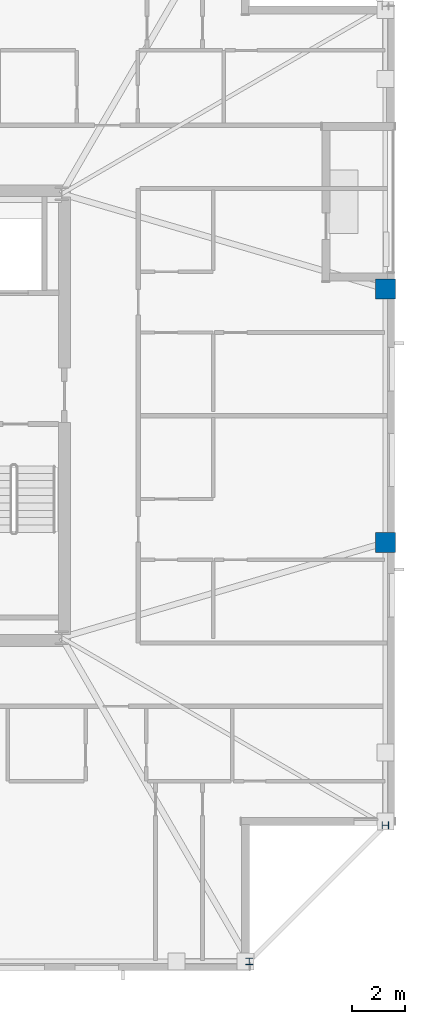
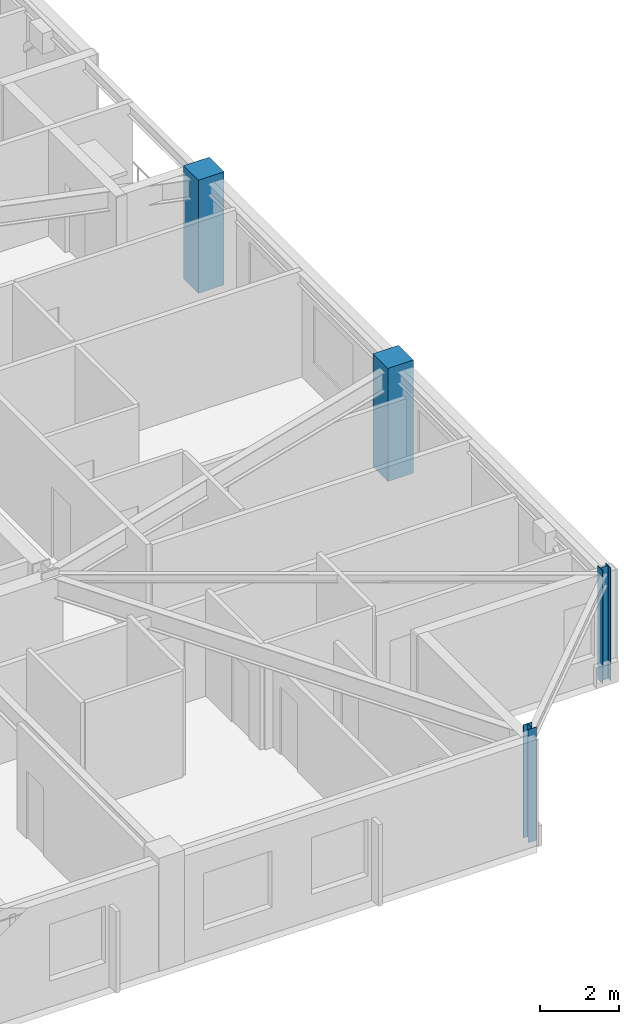
# One storey, part 3 of 16: 4 columns.
"""IFC4 building model written with IfcOpenShell, lengths in metres."""

import ifcopenshell
import ifcopenshell.guid

model = None  # the IFC model being written
_history = None  # IfcOwnerHistory: only IFC2X3 demands one
_inside = {}  # id of a spatial element -> (the spatial element, [elements in it])
_under = {}  # id of a project, library or spatial element -> (it, [spatial elements below it])
_declared = {}  # id of a project -> (the project, [libraries it declares])
_typed = {}  # id of a type object -> (the type object, [elements of that type])
_made_of = {}  # id of a material, layer set ... -> (it, [elements and type objects made of it])


def new_model(schema):
    """Start an empty IFC model of exactly this schema.

    Asked for "IFC4X3", IfcOpenShell would pick the latest addendum, in which some entities
    have other attributes; the version numbers below select the first issue.
    IFC2X3 requires an IfcOwnerHistory on every rooted entity: one is made here for all.
    """
    global model, _history
    if schema == "IFC4X3":
        model = ifcopenshell.file(schema_version=(4, 3, 0, 0))
    else:
        model = ifcopenshell.file(schema=schema)
    _inside.clear()
    _under.clear()
    _declared.clear()
    _typed.clear()
    _made_of.clear()
    _history = None
    if model.schema == "IFC2X3":
        org = make("IfcOrganization", Name="unknown")
        user = make(
            "IfcPersonAndOrganization",
            ThePerson=make("IfcPerson", FamilyName="unknown"),
            TheOrganization=org,
        )
        app = make(
            "IfcApplication",
            ApplicationDeveloper=org,
            Version="unknown",
            ApplicationFullName="unknown",
            ApplicationIdentifier="unknown",
        )
        _history = make(
            "IfcOwnerHistory",
            OwningUser=user,
            OwningApplication=app,
            ChangeAction="ADDED",
            CreationDate=0,
        )
    return model


def make(cls, **values):
    """One entity of the class cls with the attributes given. An attribute that is None is left unset."""
    return model.create_entity(
        cls, **{name: value for name, value in values.items() if value is not None}
    )


def rooted(cls, **values):
    """An entity with a GlobalId (a new one), such as an element, a storey or a relation."""
    return make(cls, GlobalId=ifcopenshell.guid.new(), OwnerHistory=_history, **values)


def si_unit(unit_type, name, prefix=None):
    """IfcSIUnit, for example si_unit("LENGTHUNIT", "METRE", prefix="MILLI")."""
    return make("IfcSIUnit", UnitType=unit_type, Prefix=prefix, Name=name)


def assignment(units):
    """IfcUnitAssignment: the units of a project."""
    return None if units is None else make("IfcUnitAssignment", Units=units)


def point(xyz):
    """IfcCartesianPoint."""
    return None if xyz is None else make("IfcCartesianPoint", Coordinates=xyz)


def direction(xyz):
    """IfcDirection."""
    return None if xyz is None else make("IfcDirection", DirectionRatios=xyz)


def frame(location, z_axis=None, x_axis=None):
    """IfcAxis2Placement3D, a coordinate frame: its origin and axes. An axis left out is left unset."""
    return make(
        "IfcAxis2Placement3D",
        Location=point(location),
        Axis=direction(z_axis),
        RefDirection=direction(x_axis),
    )


def frame_2d(location, x_axis=None):
    """IfcAxis2Placement2D, a coordinate frame in the plane: its origin and x axis."""
    return make(
        "IfcAxis2Placement2D", Location=point(location), RefDirection=direction(x_axis)
    )


def origin():
    """The frame at (0, 0, 0) with its axes left unset."""
    return frame((0.0, 0.0, 0.0))


def origin_2d():
    """The frame at (0, 0) in the plane with its x axis left unset."""
    return frame_2d((0.0, 0.0))


def place(relative_to, where):
    """IfcLocalPlacement: puts the frame where relative to a parent placement (None: the world)."""
    return make(
        "IfcLocalPlacement", PlacementRelTo=relative_to, RelativePlacement=where
    )


def context(
    kind, dimensions, precision=None, world=None, true_north=None, identifier=None
):
    """IfcGeometricRepresentationContext, for example the 3D "Model" context."""
    return make(
        "IfcGeometricRepresentationContext",
        ContextIdentifier=identifier,
        ContextType=kind,
        CoordinateSpaceDimension=dimensions,
        Precision=precision,
        WorldCoordinateSystem=world,
        TrueNorth=true_north,
    )


def subcontext(parent, identifier, kind, view, scale=None):
    """IfcGeometricRepresentationSubContext, for example "Body" below "Model"."""
    return make(
        "IfcGeometricRepresentationSubContext",
        ContextIdentifier=identifier,
        ContextType=kind,
        ParentContext=parent,
        TargetScale=scale,
        TargetView=view,
    )


def project(units=None, contexts=None):
    """IfcProject with its units and contexts."""
    return rooted(
        "IfcProject",
        Name="project",
        RepresentationContexts=contexts,
        UnitsInContext=assignment(units),
    )


def spatial(cls, under=None, at=None, **own):
    """A site, building, storey or space (cls), placed at a placement, below another one or the project."""
    s = rooted(cls, ObjectPlacement=at, **own)
    if under is not None:
        _under.setdefault(under.id(), (under, []))[1].append(s)
    return s


def profile(cls, at=None, kind="AREA", **sizes):
    """A parametric profile (cls). Its sizes go by their IFC names, for example OverallWidth=200.0."""
    return make(cls, ProfileType=kind, Position=at, **sizes)


def rectangle(**sizes):
    """IfcRectangleProfileDef."""
    return profile("IfcRectangleProfileDef", **sizes)


def i_section(**sizes):
    """IfcIShapeProfileDef."""
    return profile("IfcIShapeProfileDef", **sizes)


def extrude(swept, where, along, depth):
    """IfcExtrudedAreaSolid: the profile swept, set in the frame where, extruded along a direction by depth."""
    return make(
        "IfcExtrudedAreaSolid",
        SweptArea=swept,
        Position=where,
        ExtrudedDirection=direction(along),
        Depth=depth,
    )


def shape(context_of_items, identifier, shape_type, items):
    """IfcShapeRepresentation: the items that make up one representation, for example the "Body"."""
    return make(
        "IfcShapeRepresentation",
        ContextOfItems=context_of_items,
        RepresentationIdentifier=identifier,
        RepresentationType=shape_type,
        Items=items,
    )


def material(Name=None, Category=None):
    """IfcMaterial."""
    return make("IfcMaterial", Name=Name, Category=Category)


def material_profile(
    of_material, cross_section, Name=None, Category=None, Priority=None
):
    """IfcMaterialProfile: a cross section and its material."""
    return make(
        "IfcMaterialProfile",
        Name=Name,
        Material=of_material,
        Profile=cross_section,
        Priority=Priority,
        Category=Category,
    )


def profile_set(profiles, Name=None, composite=None):
    """IfcMaterialProfileSet."""
    return make(
        "IfcMaterialProfileSet",
        Name=Name,
        MaterialProfiles=profiles,
        CompositeProfile=composite,
    )


def made_of(thing, what):
    """Note that an element or type object is made of a material, layer set ...; save() writes the relation."""
    if what is not None:
        _made_of.setdefault(what.id(), (what, []))[1].append(thing)
    return thing


def type_object(cls, material=None, **own):
    """A type object (cls), such as IfcWallType, which elements share."""
    return made_of(rooted(cls, **own), material)


def element(
    cls,
    number,
    at=None,
    inside=None,
    cuts=None,
    type_object=None,
    material=None,
    context=None,
    identifier="Body",
    shape_type=None,
    held_by="IfcProductDefinitionShape",
    body=None,
    shapes=None,
    **own,
):
    """One element of the class cls, such as IfcWall. Its Tag is "e" and its number.

    at: its placement. inside: the storey or other place that contains it. cuts: it is an
    opening in that element (IfcRelVoidsElement). A single representation is given by context,
    identifier, shape_type and body (its items); several are given by shapes. held_by: the class
    of the entity that holds the representations. save() writes the other relations.
    """
    e = rooted(cls, Tag="e%d" % number, ObjectPlacement=at, **own)
    if body is not None:
        shapes = [shape(context, identifier, shape_type, body)]
    if shapes is not None:
        e.Representation = make(held_by, Representations=shapes)
    if inside is not None:
        _inside.setdefault(inside.id(), (inside, []))[1].append(e)
    if cuts is not None:
        rooted(
            "IfcRelVoidsElement", RelatingBuildingElement=cuts, RelatedOpeningElement=e
        )
    if type_object is not None:
        _typed.setdefault(type_object.id(), (type_object, []))[1].append(e)
    return made_of(e, material)


def aggregate(whole, parts):
    """IfcRelAggregates: a whole, such as a stair, and the parts it consists of."""
    return rooted("IfcRelAggregates", RelatingObject=whole, RelatedObjects=parts)


def save(model, path):
    """Write the relations noted so far, then the file.

    IfcRelAggregates (storeys below a building ...), IfcRelContainedInSpatialStructure (elements
    in a storey), IfcRelDefinesByType, IfcRelAssociatesMaterial and IfcRelDeclares: one each for
    every whole, place, type object, material and project.
    """
    for whole, parts in _under.values():
        aggregate(whole, parts)
    for where, things in _inside.values():
        rooted(
            "IfcRelContainedInSpatialStructure",
            RelatedElements=things,
            RelatingStructure=where,
        )
    for kind, things in _typed.values():
        rooted("IfcRelDefinesByType", RelatedObjects=things, RelatingType=kind)
    for what, things in _made_of.values():
        rooted("IfcRelAssociatesMaterial", RelatedObjects=things, RelatingMaterial=what)
    for by, libraries in _declared.values():
        rooted("IfcRelDeclares", RelatingContext=by, RelatedDefinitions=libraries)
    model.write(path)


model = new_model("IFC4")

# Units and contexts
model_context = context("Model", 3, precision=1e-05, world=origin(), true_north=direction((0.0, 1.0)))
body_context = subcontext(model_context, "Body", "Model", "MODEL_VIEW")
ifc_project = project(units=[si_unit("LENGTHUNIT", "METRE"), si_unit("AREAUNIT", "SQUARE_METRE"), si_unit("VOLUMEUNIT", "CUBIC_METRE"), si_unit("PLANEANGLEUNIT", "RADIAN"), si_unit("MASSUNIT", "GRAM", prefix="KILO")], contexts=[model_context])

# Site, building, storey
site_placement = place(None, origin())
site = spatial("IfcSite", under=ifc_project, at=site_placement, CompositionType="ELEMENT")
building_placement = place(site_placement, origin())
building = spatial("IfcBuilding", under=site, at=building_placement, Name="Cairnveth Concourse Tower", CompositionType="ELEMENT")
storey_placement = place(building_placement, frame((0.0, 0.0, 312.0)))
storey = spatial("IfcBuildingStorey", under=building, at=storey_placement, Name="L86", CompositionType="ELEMENT", Elevation=312.0)

# Columns
ifc_material_1 = material(Name="Concrete N50 (50 MPa)", Category="concrete")
ifc_material_profile_1 = material_profile(ifc_material_1, rectangle(XDim=0.75, YDim=0.75, at=origin_2d()), Name="RC-COL-750x750")
ifc_profile_set_1 = profile_set([ifc_material_profile_1], Name="Concrete N50 (50 MPa)")
column_type_1 = type_object("IfcColumnType", Name="PERIMETER PIER COLUMN 750X750", PredefinedType="COLUMN", material=ifc_profile_set_1)
for number, where, z_axis, x_axis, name in (
    (1, (72.64990234375, 34.199951171875, 0.0), (0.0, 0.0, 1.0), (0.0, 1.0, 0.0), "Column P-E2 L86"),
    (2, (72.64990234375, 43.800048828125, 0.0), (0.0, 0.0, 1.0), (0.0, 1.0, 0.0), "Column P-E3 L86"),
):
    element("IfcColumn", number, at=place(storey_placement, frame(where, z_axis=z_axis, x_axis=x_axis)), inside=storey, type_object=column_type_1, Name=name, PredefinedType="COLUMN", context=body_context, shape_type="SweptSolid", body=[
        extrude(rectangle(XDim=0.75, YDim=0.75, at=origin_2d()), origin(), (0.0, 0.0, 1.0), 3.5),
    ])
ifc_material_2 = material(Name="Steel Grade 350", Category="steel")
ifc_material_profile_2 = material_profile(ifc_material_2, i_section(OverallWidth=0.25390625, OverallDepth=0.25390625, WebThickness=0.008544921875, FlangeThickness=0.01416015625, FilletRadius=0.012939453125, at=origin_2d()), Name="250UC72.9")
ifc_profile_set_2 = profile_set([ifc_material_profile_2], Name="Steel Grade 350")
column_type_2 = type_object("IfcColumnType", Name="UNIVERSAL STEEL COLUMN 250UC72.9", PredefinedType="COLUMN", material=ifc_profile_set_2)
for number, where, z_axis, x_axis, name in (
    (3, (67.5, 18.35009765625, 0.0), (0.0, 0.0, 1.0), (1.0, 0.0, 0.0), "Column P-S4 L86"),
    (4, (72.64990234375, 23.5, 0.0), (0.0, 0.0, 1.0), (0.0, 1.0, 0.0), "Column P-E1 L86"),
):
    element("IfcColumn", number, at=place(storey_placement, frame(where, z_axis=z_axis, x_axis=x_axis)), inside=storey, type_object=column_type_2, Name=name, PredefinedType="COLUMN", context=body_context, shape_type="SweptSolid", body=[
        extrude(i_section(OverallWidth=0.25390625, OverallDepth=0.25390625, WebThickness=0.008544921875, FlangeThickness=0.01416015625, FilletRadius=0.012939453125, at=origin_2d()), origin(), (0.0, 0.0, 1.0), 3.5),
    ])

save(model, "model.ifc")
